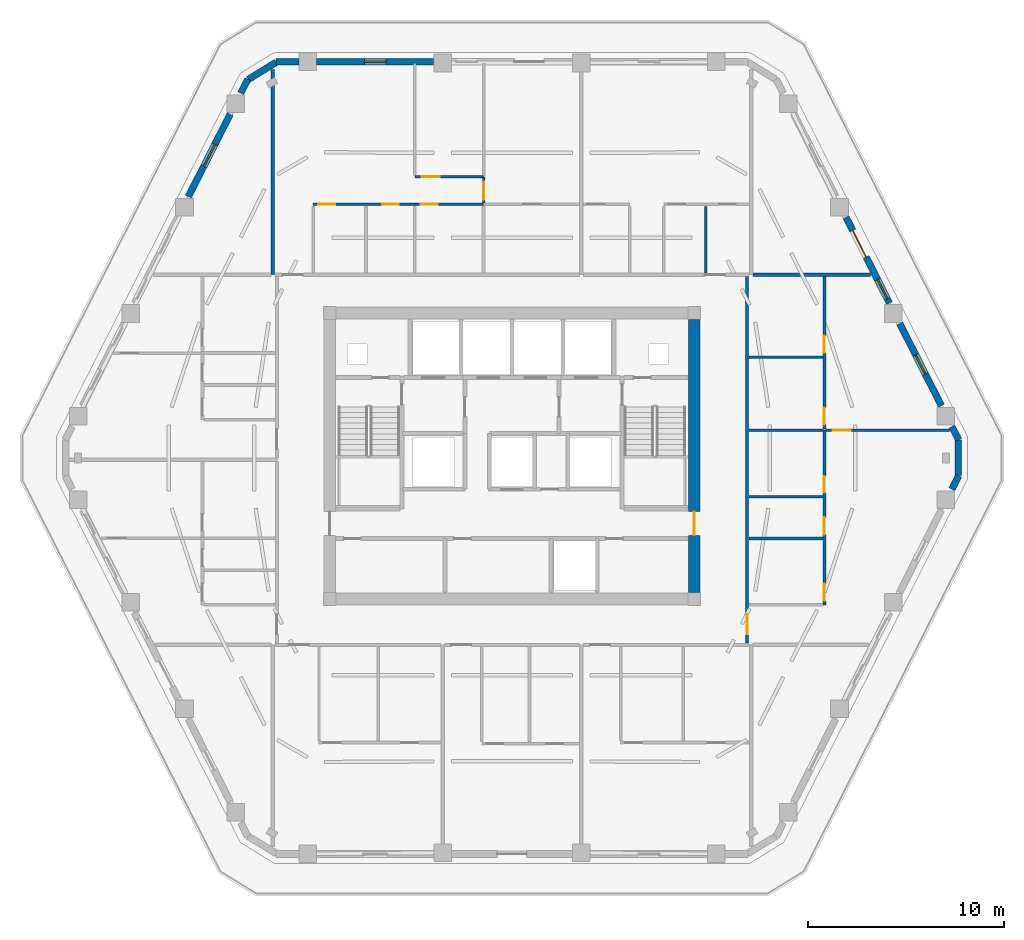
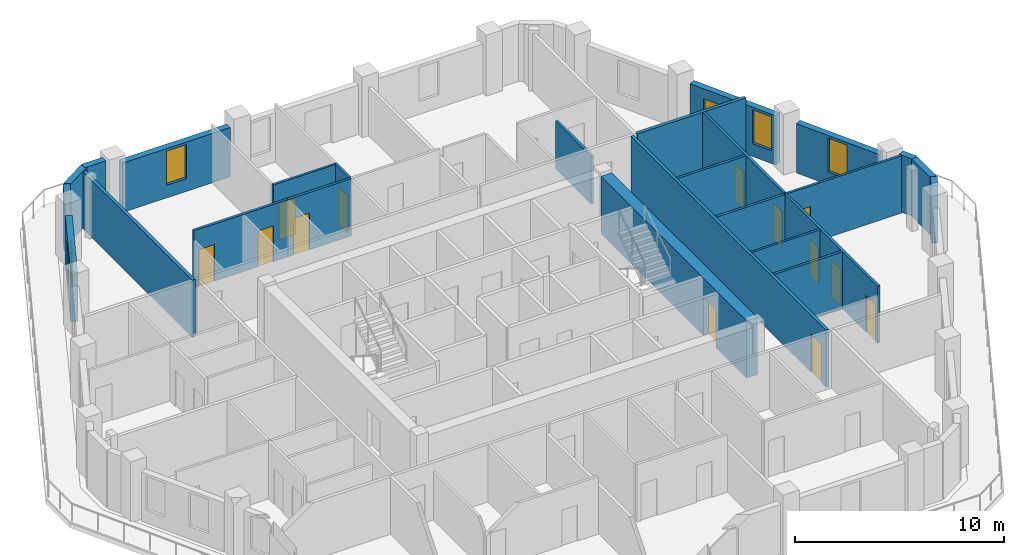
# One storey, part 6 of 10: 26 walls, 14 doors, 4 windows, 18 openings.
"""IFC4 building model written with IfcOpenShell, lengths in metres."""

from ifc_helpers import new_model, si_unit, direction, frame, frame_2d, origin, place, context, subcontext, project, spatial, rectangle, extrude, material, layer, layer_set, type_object, element, fill, save


model = new_model("IFC4")

# Units and contexts
model_context = context("Model", 3, precision=1e-05, world=origin(), true_north=direction((0.0, 1.0)))
body_context = subcontext(model_context, "Body", "Model", "MODEL_VIEW")
ifc_project = project(units=[si_unit("LENGTHUNIT", "METRE"), si_unit("AREAUNIT", "SQUARE_METRE"), si_unit("VOLUMEUNIT", "CUBIC_METRE"), si_unit("PLANEANGLEUNIT", "RADIAN"), si_unit("MASSUNIT", "GRAM", prefix="KILO")], contexts=[model_context])

# Site, building, storey
site_placement = place(None, origin())
site = spatial("IfcSite", under=ifc_project, at=site_placement, CompositionType="ELEMENT")
building_placement = place(site_placement, origin())
building = spatial("IfcBuilding", under=site, at=building_placement, Name="Cinnabar Lancet Tower", CompositionType="ELEMENT")
storey_placement = place(building_placement, frame((0.0, 0.0, 171.89990234375)))
storey = spatial("IfcBuildingStorey", under=building, at=storey_placement, Name="L45", CompositionType="ELEMENT", Elevation=171.89990234375)

# Wall, opening, door
ifc_material_1 = material(Name="Acoustic twin-stud gypsum partition", Category="gypsum")
ifc_layer_1 = layer(ifc_material_1, 0.159912109375)
ifc_layer_set_1 = layer_set([ifc_layer_1], Name="Acoustic twin-stud gypsum partition")
wall_type_1 = type_object("IfcWallType", Name="ARC-WL-CORR-160", PredefinedType="PARTITIONING", material=ifc_layer_set_1)
wall_1_placement = place(storey_placement, frame((44.39990234375, 16.344970703125, 0.0), z_axis=(0.0, 0.0, 1.0), x_axis=(0.0, 1.0, 0.0)))
wall_1 = element("IfcWall", 1, at=wall_1_placement, inside=storey, type_object=wall_type_1, Name="UW-L45-E01-COR", PredefinedType="PARTITIONING", context=body_context, shape_type="SweptSolid", body=[
    extrude(rectangle(XDim=18.7099609375, YDim=0.159912109375, at=frame_2d((9.35498046875, 0.0))), origin(), (0.0, 0.0, 1.0), 3.35009765625),
])
opening_1_placement = place(wall_1_placement, frame((0.449951171875, 0.0, 0.0)))
opening_1 = element("IfcOpeningElement", 2, at=opening_1_placement, cuts=wall_1, Name="Opening UD-01", PredefinedType="OPENING", context=body_context, shape_type="SweptSolid", body=[
    extrude(rectangle(XDim=1.02001953125, YDim=2.25, at=frame_2d((0.510009765625, 1.125))), frame((0.0, 0.08984375, 0.0), z_axis=(0.0, -1.0, 0.0), x_axis=(1.0, 0.0, 0.0)), (0.0, 0.0, 1.0), 0.179931640625),
])
ifc_material_2 = material(Name="Solid timber fire-rated apartment entrance door", Category="wood")
door_type_1 = type_object("IfcDoorType", Name="ARC-DR-UNIT", OperationType="NOTDEFINED", PredefinedType="DOOR", material=ifc_material_2)
door_1_placement = place(opening_1_placement, origin())
door_1 = element("IfcDoor", 3, at=door_1_placement, inside=storey, type_object=door_type_1, Name="DR-L45-E01-ENT", OperationType="SINGLE_SWING_RIGHT", OverallHeight=2.25, OverallWidth=1.02001953125, PredefinedType="DOOR", context=body_context, shape_type="SweptSolid", body=[
    extrude(rectangle(XDim=1.02001953125, YDim=2.25, at=frame_2d((0.510009765625, 1.125))), frame((0.0, 0.02490234375, 0.0), z_axis=(0.0, -1.0, 0.0), x_axis=(1.0, 0.0, 0.0)), (0.0, 0.0, 1.0), 0.050048828125),
])
fill(opening_1, door_1)

# Walls
ifc_material_3 = material(Name="Fire-rated twin-frame acoustic drywall", Category="gypsum")
ifc_layer_2 = layer(ifc_material_3, 0.179931640625)
ifc_layer_set_2 = layer_set([ifc_layer_2], Name="Fire-rated twin-frame acoustic drywall")
wall_type_2 = type_object("IfcWallType", Name="ARC-WL-PARTY-180", PredefinedType="PARTITIONING", material=ifc_layer_set_2)
wall_2_placement = place(storey_placement, frame((20.199951171875, 35.14990234375, 0.0), z_axis=(0.0, 0.0, 1.0), x_axis=(0.0, 1.0, 0.0)))
element("IfcWall", 4, at=wall_2_placement, inside=storey, type_object=wall_type_2, Name="PW-L45-NPTY-202", PredefinedType="PARTITIONING", context=body_context, shape_type="SweptSolid", body=[
    extrude(rectangle(XDim=10.482177734375, YDim=0.179931640625, at=frame_2d((5.2412109375, 0.0))), origin(), (0.0, 0.0, 1.0), 3.35009765625),
])
wall_3_placement = place(storey_placement, frame((44.695068359375, 35.14990234375, 0.0), z_axis=(0.0, 0.0, 1.0), x_axis=(1.0, 0.0, 0.0)))
element("IfcWall", 5, at=wall_3_placement, inside=storey, type_object=wall_type_2, Name="PW-L45-ENB", PredefinedType="PARTITIONING", context=body_context, shape_type="SweptSolid", body=[
    extrude(rectangle(XDim=5.994873046875, YDim=0.179931640625, at=frame_2d((2.99755859375, 0.0))), origin(), (0.0, 0.0, 1.0), 3.35009765625),
])

# Wall, opening, door
ifc_material_4 = material(Name="Gypsum plasterboard stud partition", Category="gypsum")
ifc_layer_3 = layer(ifc_material_4, 0.125)
ifc_layer_set_3 = layer_set([ifc_layer_3], Name="Gypsum plasterboard stud partition")
wall_type_3 = type_object("IfcWallType", Name="ARC-WL-UNIT-125", PredefinedType="PARTITIONING", material=ifc_layer_set_3)
wall_4_placement = place(storey_placement, frame((27.44189453125, 40.14501953125, 0.0), z_axis=(0.0, 0.0, 1.0), x_axis=(1.0, 0.0, 0.0)))
wall_4 = element("IfcWall", 6, at=wall_4_placement, inside=storey, type_object=wall_type_3, Name="UW-L45-N01-HLN", PredefinedType="PARTITIONING", context=body_context, shape_type="SweptSolid", body=[
    extrude(rectangle(XDim=3.508056640625, YDim=0.125, at=frame_2d((1.75390625, 0.0))), origin(), (0.0, 0.0, 1.0), 3.35009765625),
])
opening_2_placement = place(wall_4_placement, frame((0.35009765625, 0.0, 0.0)))
opening_2 = element("IfcOpeningElement", 7, at=opening_2_placement, cuts=wall_4, Name="Opening RD-01", PredefinedType="OPENING", context=body_context, shape_type="SweptSolid", body=[
    extrude(rectangle(XDim=0.919921875, YDim=2.14990234375, at=frame_2d((0.4599609375, 1.074951171875))), frame((0.0, 0.072509765625, 0.0), z_axis=(0.0, -1.0, 0.0), x_axis=(1.0, 0.0, 0.0)), (0.0, 0.0, 1.0), 0.14501953125),
])
ifc_material_5 = material(Name="Engineered timber bedroom door", Category="wood")
door_type_2 = type_object("IfcDoorType", Name="ARC-DR-ROOM", OperationType="NOTDEFINED", PredefinedType="DOOR", material=ifc_material_5)
door_2_placement = place(opening_2_placement, origin())
door_2 = element("IfcDoor", 8, at=door_2_placement, inside=storey, type_object=door_type_2, Name="DR-L45-N01-BD2", OperationType="SINGLE_SWING_LEFT", OverallHeight=2.14990234375, OverallWidth=0.919921875, PredefinedType="DOOR", context=body_context, shape_type="SweptSolid", body=[
    extrude(rectangle(XDim=0.919921875, YDim=2.14990234375, at=frame_2d((0.4599609375, 1.074951171875))), frame((0.0, 0.02490234375, 0.0), z_axis=(0.0, -1.0, 0.0), x_axis=(1.0, 0.0, 0.0)), (0.0, 0.0, 1.0), 0.050048828125),
])
fill(opening_2, door_2)

wall_5_placement = place(storey_placement, frame((30.949951171875, 38.81494140625, 0.0), z_axis=(0.0, 0.0, 1.0), x_axis=(0.0, 1.0, 0.0)))
wall_5 = element("IfcWall", 9, at=wall_5_placement, inside=storey, type_object=wall_type_3, Name="UW-L45-N01-MBE", PredefinedType="PARTITIONING", context=body_context, shape_type="SweptSolid", body=[
    extrude(rectangle(XDim=1.330078125, YDim=0.125, at=frame_2d((0.6650390625, 0.0))), origin(), (0.0, 0.0, 1.0), 3.35009765625),
])
opening_3_placement = place(wall_5_placement, frame((0.159912109375, 0.0, 0.0)))
opening_3 = element("IfcOpeningElement", 10, at=opening_3_placement, cuts=wall_5, Name="Opening RD-01", PredefinedType="OPENING", context=body_context, shape_type="SweptSolid", body=[
    extrude(rectangle(XDim=0.919921875, YDim=2.14990234375, at=frame_2d((0.4599609375, 1.074951171875))), frame((0.0, 0.072509765625, 0.0), z_axis=(0.0, -1.0, 0.0), x_axis=(1.0, 0.0, 0.0)), (0.0, 0.0, 1.0), 0.14501953125),
])
door_3_placement = place(opening_3_placement, origin())
door_3 = element("IfcDoor", 11, at=door_3_placement, inside=storey, type_object=door_type_2, Name="DR-L45-N01-MBD", OperationType="SINGLE_SWING_LEFT", OverallHeight=2.14990234375, OverallWidth=0.919921875, PredefinedType="DOOR", context=body_context, shape_type="SweptSolid", body=[
    extrude(rectangle(XDim=0.919921875, YDim=2.14990234375, at=frame_2d((0.4599609375, 1.074951171875))), frame((0.0, 0.02490234375, 0.0), z_axis=(0.0, -1.0, 0.0), x_axis=(1.0, 0.0, 0.0)), (0.0, 0.0, 1.0), 0.050048828125),
])
fill(opening_3, door_3)

wall_6_placement = place(storey_placement, frame((48.425048828125, 27.2119140625, 0.0), z_axis=(0.0, 0.0, 1.0), x_axis=(1.0, 0.0, 0.0)))
wall_6 = element("IfcWall", 12, at=wall_6_placement, inside=storey, type_object=wall_type_3, Name="UW-L45-E01-MBN", PredefinedType="PARTITIONING", context=body_context, shape_type="SweptSolid", body=[
    extrude(rectangle(XDim=6.2958984375, YDim=0.125, at=frame_2d((3.14794921875, 0.0))), origin(), (0.0, 0.0, 1.0), 3.35009765625),
])
opening_4_placement = place(wall_6_placement, frame((0.35009765625, 0.0, 0.0)))
opening_4 = element("IfcOpeningElement", 13, at=opening_4_placement, cuts=wall_6, Name="Opening RD-01", PredefinedType="OPENING", context=body_context, shape_type="SweptSolid", body=[
    extrude(rectangle(XDim=0.919921875, YDim=2.14990234375, at=frame_2d((0.4599609375, 1.074951171875))), frame((0.0, 0.072509765625, 0.0), z_axis=(0.0, -1.0, 0.0), x_axis=(1.0, 0.0, 0.0)), (0.0, 0.0, 1.0), 0.14501953125),
])
door_4_placement = place(opening_4_placement, origin())
door_4 = element("IfcDoor", 14, at=door_4_placement, inside=storey, type_object=door_type_2, Name="DR-L45-E01-MBD", OperationType="SINGLE_SWING_RIGHT", OverallHeight=2.14990234375, OverallWidth=0.919921875, PredefinedType="DOOR", context=body_context, shape_type="SweptSolid", body=[
    extrude(rectangle(XDim=0.919921875, YDim=2.14990234375, at=frame_2d((0.4599609375, 1.074951171875))), frame((0.0, 0.02490234375, 0.0), z_axis=(0.0, -1.0, 0.0), x_axis=(1.0, 0.0, 0.0)), (0.0, 0.0, 1.0), 0.050048828125),
])
fill(opening_4, door_4)

# Wall
wall_7_placement = place(storey_placement, frame((44.485107421875, 23.81201171875, 0.0), z_axis=(0.0, 0.0, 1.0), x_axis=(1.0, 0.0, 0.0)))
element("IfcWall", 15, at=wall_7_placement, inside=storey, type_object=wall_type_3, Name="UW-L45-E01-UDV", PredefinedType="PARTITIONING", context=body_context, shape_type="SweptSolid", body=[
    extrude(rectangle(XDim=3.77978515625, YDim=0.125, at=frame_2d((1.889892578125, 0.0))), origin(), (0.0, 0.0, 1.0), 3.35009765625),
])

# Wall, openings, doors
ifc_material_6 = material(Name="Moisture-resistant cement-board plumbing wall", Category="masonry")
ifc_layer_4 = layer(ifc_material_6, 0.139892578125)
ifc_layer_set_4 = layer_set([ifc_layer_4], Name="Moisture-resistant cement-board plumbing wall")
wall_type_4 = type_object("IfcWallType", Name="ARC-WL-WET-140", PredefinedType="PLUMBINGWALL", material=ifc_layer_set_4)
wall_8_placement = place(storey_placement, frame((22.25, 38.7451171875, 0.0), z_axis=(0.0, 0.0, 1.0), x_axis=(1.0, 0.0, 0.0)))
wall_8 = element("IfcWall", 16, at=wall_8_placement, inside=storey, type_object=wall_type_4, Name="UW-L45-N01-SPL", PredefinedType="PLUMBINGWALL", context=body_context, shape_type="SweptSolid", body=[
    extrude(rectangle(XDim=5.19189453125, YDim=0.139892578125, at=frame_2d((2.595947265625, 0.0))), origin(), (0.0, 0.0, 1.0), 3.35009765625),
])
opening_5_placement = place(wall_8_placement, frame((3.52099609375, 0.0, 0.0)))
opening_5 = element("IfcOpeningElement", 17, at=opening_5_placement, cuts=wall_8, Name="Opening BD-01", PredefinedType="OPENING", context=body_context, shape_type="SweptSolid", body=[
    extrude(rectangle(XDim=0.860107421875, YDim=2.10009765625, at=frame_2d((0.43017578125, 1.050048828125))), frame((0.0, 0.079833984375, 0.0), z_axis=(0.0, -1.0, 0.0), x_axis=(1.0, 0.0, 0.0)), (0.0, 0.0, 1.0), 0.159912109375),
])
opening_6_placement = place(wall_8_placement, frame((0.260009765625, 0.0, 0.0)))
opening_6 = element("IfcOpeningElement", 18, at=opening_6_placement, cuts=wall_8, Name="Opening RD-02", PredefinedType="OPENING", context=body_context, shape_type="SweptSolid", body=[
    extrude(rectangle(XDim=0.8798828125, YDim=2.14990234375, at=frame_2d((0.43994140625, 1.074951171875))), frame((0.0, 0.079833984375, 0.0), z_axis=(0.0, -1.0, 0.0), x_axis=(1.0, 0.0, 0.0)), (0.0, 0.0, 1.0), 0.159912109375),
])
ifc_material_7 = material(Name="Moisture-resistant timber bathroom door", Category="wood")
door_type_3 = type_object("IfcDoorType", Name="ARC-DR-BATH", OperationType="NOTDEFINED", PredefinedType="DOOR", material=ifc_material_7)
door_5_placement = place(opening_5_placement, origin())
door_5 = element("IfcDoor", 19, at=door_5_placement, inside=storey, type_object=door_type_3, Name="DR-L45-N01-BTH", OperationType="SINGLE_SWING_RIGHT", OverallHeight=2.10009765625, OverallWidth=0.860107421875, PredefinedType="DOOR", context=body_context, shape_type="SweptSolid", body=[
    extrude(rectangle(XDim=0.860107421875, YDim=2.10009765625, at=frame_2d((0.43017578125, 1.050048828125))), frame((0.0, 0.02490234375, 0.0), z_axis=(0.0, -1.0, 0.0), x_axis=(1.0, 0.0, 0.0)), (0.0, 0.0, 1.0), 0.050048828125),
])
fill(opening_5, door_5)
ifc_material_8 = material(Name="Engineered timber study door", Category="wood")
door_type_4 = type_object("IfcDoorType", Name="ARC-DR-STUDY", OperationType="NOTDEFINED", PredefinedType="DOOR", material=ifc_material_8)
door_6_placement = place(opening_6_placement, origin())
door_6 = element("IfcDoor", 20, at=door_6_placement, inside=storey, type_object=door_type_4, Name="DR-L45-N01-KIT", OperationType="SINGLE_SWING_LEFT", OverallHeight=2.14990234375, OverallWidth=0.8798828125, PredefinedType="DOOR", context=body_context, shape_type="SweptSolid", body=[
    extrude(rectangle(XDim=0.8798828125, YDim=2.14990234375, at=frame_2d((0.43994140625, 1.074951171875))), frame((0.0, 0.02490234375, 0.0), z_axis=(0.0, -1.0, 0.0), x_axis=(1.0, 0.0, 0.0)), (0.0, 0.0, 1.0), 0.050048828125),
])
fill(opening_6, door_6)

# Wall, opening, door
wall_9_placement = place(storey_placement, frame((27.44189453125, 38.7451171875, 0.0), z_axis=(0.0, 0.0, 1.0), x_axis=(1.0, 0.0, 0.0)))
wall_9 = element("IfcWall", 21, at=wall_9_placement, inside=storey, type_object=wall_type_4, Name="UW-L45-N01-SPM", PredefinedType="PLUMBINGWALL", context=body_context, shape_type="SweptSolid", body=[
    extrude(rectangle(XDim=3.508056640625, YDim=0.139892578125, at=frame_2d((1.75390625, 0.0))), origin(), (0.0, 0.0, 1.0), 3.35009765625),
])
opening_7_placement = place(wall_9_placement, frame((0.300048828125, 0.0, 0.0)))
opening_7 = element("IfcOpeningElement", 22, at=opening_7_placement, cuts=wall_9, Name="Opening RD-02", PredefinedType="OPENING", context=body_context, shape_type="SweptSolid", body=[
    extrude(rectangle(XDim=0.8798828125, YDim=2.14990234375, at=frame_2d((0.43994140625, 1.074951171875))), frame((0.0, 0.079833984375, 0.0), z_axis=(0.0, -1.0, 0.0), x_axis=(1.0, 0.0, 0.0)), (0.0, 0.0, 1.0), 0.159912109375),
])
door_7_placement = place(opening_7_placement, origin())
door_7 = element("IfcDoor", 23, at=door_7_placement, inside=storey, type_object=door_type_4, Name="DR-L45-N01-UTL", OperationType="SINGLE_SWING_RIGHT", OverallHeight=2.14990234375, OverallWidth=0.8798828125, PredefinedType="DOOR", context=body_context, shape_type="SweptSolid", body=[
    extrude(rectangle(XDim=0.8798828125, YDim=2.14990234375, at=frame_2d((0.43994140625, 1.074951171875))), frame((0.0, 0.02490234375, 0.0), z_axis=(0.0, -1.0, 0.0), x_axis=(1.0, 0.0, 0.0)), (0.0, 0.0, 1.0), 0.050048828125),
])
fill(opening_7, door_7)

# Wall
wall_10_placement = place(storey_placement, frame((42.285888671875, 35.235107421875, 0.0), z_axis=(0.0, 0.0, 1.0), x_axis=(0.0, 1.0, 0.0)))
element("IfcWall", 24, at=wall_10_placement, inside=storey, type_object=wall_type_4, Name="UW-L45-N02-KDV", PredefinedType="PLUMBINGWALL", context=body_context, shape_type="SweptSolid", body=[
    extrude(rectangle(XDim=3.40478515625, YDim=0.139892578125, at=frame_2d((1.702392578125, 0.0))), origin(), (0.0, 0.0, 1.0), 2.80712890625),
])

# Wall, openings, doors
wall_11_placement = place(storey_placement, frame((48.35009765625, 18.300048828125, 0.0), z_axis=(0.0, 0.0, 1.0), x_axis=(0.0, 1.0, 0.0)))
wall_11 = element("IfcWall", 25, at=wall_11_placement, inside=storey, type_object=wall_type_4, Name="UW-L45-E01-SPL", PredefinedType="PLUMBINGWALL", context=body_context, shape_type="SweptSolid", body=[
    extrude(rectangle(XDim=8.911865234375, YDim=0.139892578125, at=frame_2d((4.4560546875, 0.0))), origin(), (0.0, 0.0, 1.0), 3.35009765625),
])
opening_8_placement = place(wall_11_placement, frame((0.199951171875, 0.0, 0.0)))
opening_8 = element("IfcOpeningElement", 26, at=opening_8_placement, cuts=wall_11, Name="Opening RD-02", PredefinedType="OPENING", context=body_context, shape_type="SweptSolid", body=[
    extrude(rectangle(XDim=0.8798828125, YDim=2.14990234375, at=frame_2d((0.43994140625, 1.074951171875))), frame((0.0, 0.079833984375, 0.0), z_axis=(0.0, -1.0, 0.0), x_axis=(1.0, 0.0, 0.0)), (0.0, 0.0, 1.0), 0.159912109375),
])
opening_9_placement = place(wall_11_placement, frame((3.5869140625, 0.0, 0.0)))
opening_9 = element("IfcOpeningElement", 27, at=opening_9_placement, cuts=wall_11, Name="Opening RD-02", PredefinedType="OPENING", context=body_context, shape_type="SweptSolid", body=[
    extrude(rectangle(XDim=0.8798828125, YDim=2.14990234375, at=frame_2d((0.43994140625, 1.074951171875))), frame((0.0, 0.079833984375, 0.0), z_axis=(0.0, -1.0, 0.0), x_axis=(1.0, 0.0, 0.0)), (0.0, 0.0, 1.0), 0.159912109375),
])
opening_10_placement = place(wall_11_placement, frame((5.7119140625, 0.0, 0.0)))
opening_10 = element("IfcOpeningElement", 28, at=opening_10_placement, cuts=wall_11, Name="Opening BD-01", PredefinedType="OPENING", context=body_context, shape_type="SweptSolid", body=[
    extrude(rectangle(XDim=0.860107421875, YDim=2.10009765625, at=frame_2d((0.43017578125, 1.050048828125))), frame((0.0, 0.079833984375, 0.0), z_axis=(0.0, -1.0, 0.0), x_axis=(1.0, 0.0, 0.0)), (0.0, 0.0, 1.0), 0.159912109375),
])
door_8_placement = place(opening_10_placement, origin())
door_8 = element("IfcDoor", 29, at=door_8_placement, inside=storey, type_object=door_type_3, Name="DR-L45-E01-BTH", OperationType="SINGLE_SWING_LEFT", OverallHeight=2.10009765625, OverallWidth=0.860107421875, PredefinedType="DOOR", context=body_context, shape_type="SweptSolid", body=[
    extrude(rectangle(XDim=0.860107421875, YDim=2.10009765625, at=frame_2d((0.43017578125, 1.050048828125))), frame((0.0, 0.02490234375, 0.0), z_axis=(0.0, -1.0, 0.0), x_axis=(1.0, 0.0, 0.0)), (0.0, 0.0, 1.0), 0.050048828125),
])
fill(opening_10, door_8)
door_9_placement = place(opening_8_placement, origin())
door_9 = element("IfcDoor", 30, at=door_9_placement, inside=storey, type_object=door_type_4, Name="DR-L45-E01-KIT", OperationType="SINGLE_SWING_LEFT", OverallHeight=2.14990234375, OverallWidth=0.8798828125, PredefinedType="DOOR", context=body_context, shape_type="SweptSolid", body=[
    extrude(rectangle(XDim=0.8798828125, YDim=2.14990234375, at=frame_2d((0.43994140625, 1.074951171875))), frame((0.0, 0.02490234375, 0.0), z_axis=(0.0, -1.0, 0.0), x_axis=(1.0, 0.0, 0.0)), (0.0, 0.0, 1.0), 0.050048828125),
])
fill(opening_8, door_9)
door_10_placement = place(opening_9_placement, origin())
door_10 = element("IfcDoor", 31, at=door_10_placement, inside=storey, type_object=door_type_4, Name="DR-L45-E01-UTL", OperationType="SINGLE_SWING_RIGHT", OverallHeight=2.14990234375, OverallWidth=0.8798828125, PredefinedType="DOOR", context=body_context, shape_type="SweptSolid", body=[
    extrude(rectangle(XDim=0.8798828125, YDim=2.14990234375, at=frame_2d((0.43994140625, 1.074951171875))), frame((0.0, 0.02490234375, 0.0), z_axis=(0.0, -1.0, 0.0), x_axis=(1.0, 0.0, 0.0)), (0.0, 0.0, 1.0), 0.050048828125),
])
fill(opening_9, door_10)

wall_12_placement = place(storey_placement, frame((48.35009765625, 27.281982421875, 0.0), z_axis=(0.0, 0.0, 1.0), x_axis=(0.0, 1.0, 0.0)))
wall_12 = element("IfcWall", 32, at=wall_12_placement, inside=storey, type_object=wall_type_4, Name="UW-L45-E01-SPM", PredefinedType="PLUMBINGWALL", context=body_context, shape_type="SweptSolid", body=[
    extrude(rectangle(XDim=7.77294921875, YDim=0.139892578125, at=frame_2d((3.886474609375, 0.0))), origin(), (0.0, 0.0, 1.0), 3.35009765625),
])
opening_11_placement = place(wall_12_placement, frame((0.219970703125, 0.0, 0.0)))
opening_11 = element("IfcOpeningElement", 33, at=opening_11_placement, cuts=wall_12, Name="Opening BD-01", PredefinedType="OPENING", context=body_context, shape_type="SweptSolid", body=[
    extrude(rectangle(XDim=0.860107421875, YDim=2.10009765625, at=frame_2d((0.43017578125, 1.050048828125))), frame((0.0, 0.079833984375, 0.0), z_axis=(0.0, -1.0, 0.0), x_axis=(1.0, 0.0, 0.0)), (0.0, 0.0, 1.0), 0.159912109375),
])
opening_12_placement = place(wall_12_placement, frame((3.8798828125, 0.0, 0.0)))
opening_12 = element("IfcOpeningElement", 34, at=opening_12_placement, cuts=wall_12, Name="Opening RD-02", PredefinedType="OPENING", context=body_context, shape_type="SweptSolid", body=[
    extrude(rectangle(XDim=0.8798828125, YDim=2.14990234375, at=frame_2d((0.43994140625, 1.074951171875))), frame((0.0, 0.079833984375, 0.0), z_axis=(0.0, -1.0, 0.0), x_axis=(1.0, 0.0, 0.0)), (0.0, 0.0, 1.0), 0.159912109375),
])
door_11_placement = place(opening_11_placement, origin())
door_11 = element("IfcDoor", 35, at=door_11_placement, inside=storey, type_object=door_type_3, Name="DR-L45-E01-ENS", OperationType="SINGLE_SWING_RIGHT", OverallHeight=2.10009765625, OverallWidth=0.860107421875, PredefinedType="DOOR", context=body_context, shape_type="SweptSolid", body=[
    extrude(rectangle(XDim=0.860107421875, YDim=2.10009765625, at=frame_2d((0.43017578125, 1.050048828125))), frame((0.0, 0.02490234375, 0.0), z_axis=(0.0, -1.0, 0.0), x_axis=(1.0, 0.0, 0.0)), (0.0, 0.0, 1.0), 0.050048828125),
])
fill(opening_11, door_11)
door_12_placement = place(opening_12_placement, origin())
door_12 = element("IfcDoor", 36, at=door_12_placement, inside=storey, type_object=door_type_4, Name="DR-L45-E01-EWDR", OperationType="SINGLE_SWING_LEFT", OverallHeight=2.14990234375, OverallWidth=0.8798828125, PredefinedType="DOOR", context=body_context, shape_type="SweptSolid", body=[
    extrude(rectangle(XDim=0.8798828125, YDim=2.14990234375, at=frame_2d((0.43994140625, 1.074951171875))), frame((0.0, 0.02490234375, 0.0), z_axis=(0.0, -1.0, 0.0), x_axis=(1.0, 0.0, 0.0)), (0.0, 0.0, 1.0), 0.050048828125),
])
fill(opening_12, door_12)

# Walls
for number, where, z_axis, x_axis, name in (
    (37, (44.485107421875, 27.2119140625, 0.0), (0.0, 0.0, 1.0), (1.0, 0.0, 0.0), "UW-L45-E01-ENSN"),
    (38, (44.485107421875, 21.68701171875, 0.0), (0.0, 0.0, 1.0), (1.0, 0.0, 0.0), "UW-L45-E01-KDV"),
    (39, (44.485107421875, 30.94189453125, 0.0), (0.0, 0.0, 1.0), (1.0, 0.0, 0.0), "UW-L45-E01-EWDV"),
):
    element("IfcWall", number, at=place(storey_placement, frame(where, z_axis=z_axis, x_axis=x_axis)), inside=storey, type_object=wall_type_4, Name=name, PredefinedType="PLUMBINGWALL", context=body_context, shape_type="SweptSolid", body=[
        extrude(rectangle(XDim=3.77978515625, YDim=0.139892578125, at=frame_2d((1.889892578125, 0.0))), origin(), (0.0, 0.0, 1.0), 3.35009765625),
    ])
ifc_material_9 = material(Name="Cinnabar red clay brick", Category="masonry")
ifc_layer_5 = layer(ifc_material_9, 0.340087890625)
ifc_layer_set_5 = layer_set([ifc_layer_5], Name="Cinnabar red clay brick")
wall_type_5 = type_object("IfcWallType", Name="ENV-WL-BRK-RED-340", PredefinedType="STANDARD", material=ifc_layer_set_5)
wall_13_placement = place(storey_placement, frame((55.177978515625, 24.89208984375, 0.0), z_axis=(0.0, 0.0, 1.0), x_axis=(0.0, 1.0, 0.0)))
element("IfcWall", 40, at=wall_13_placement, inside=storey, type_object=wall_type_5, Name="L45 Chamfered Corner Brick Pier 3.1", PredefinedType="STANDARD", context=body_context, shape_type="SweptSolid", body=[
    extrude(rectangle(XDim=1.81591796875, YDim=0.340087890625, at=frame_2d((0.907958984375, 0.0))), origin(), (0.0, 0.0, 1.0), 3.35009765625),
])
wall_14_placement = place(storey_placement, frame((20.366943359375, 45.9951171875, 0.0), z_axis=(0.0, 0.0, 1.0), x_axis=(-0.851713271379, -0.524008113828, 0.0)))
element("IfcWall", 41, at=wall_14_placement, inside=storey, type_object=wall_type_5, Name="L45 Chamfered Corner Brick Pier 5.1", PredefinedType="STANDARD", context=body_context, shape_type="SweptSolid", body=[
    extrude(rectangle(XDim=1.677734375, YDim=0.340087890625, at=frame_2d((0.8388671875, 0.0))), origin(), (0.0, 0.0, 1.0), 3.35009765625),
])
for number, where, z_axis, x_axis, name in (
    (42, (54.85107421875, 24.197021484375, 0.0), (0.0, 0.0, 1.0), (0.451262448184, 0.892391283496, 0.0), "L45 Face 2 Masonry Bay Wall 5"),
    (43, (55.198974609375, 26.715087890625, 0.0), (0.0, 0.0, 1.0), (-0.451262448184, 0.892391283496, 0.0), "L45 Face 3 Masonry Bay Wall 1"),
):
    element("IfcWall", number, at=place(storey_placement, frame(where, z_axis=z_axis, x_axis=x_axis)), inside=storey, type_object=wall_type_5, Name=name, PredefinedType="STANDARD", context=body_context, shape_type="SweptSolid", body=[
        extrude(rectangle(XDim=0.77099609375, YDim=0.340087890625, at=frame_2d((0.385498046875, 0.0))), origin(), (0.0, 0.0, 1.0), 3.35009765625),
    ])

# Wall, opening, window
wall_15_placement = place(storey_placement, frame((54.31494140625, 28.462890625, 0.0), z_axis=(0.0, 0.0, 1.0), x_axis=(-0.451426298588, 0.892308409096, 0.0)))
wall_15 = element("IfcWall", 44, at=wall_15_placement, inside=storey, type_object=wall_type_5, Name="L45 Face 3 Masonry Bay Wall 2", PredefinedType="STANDARD", context=body_context, shape_type="SweptSolid", body=[
    extrude(rectangle(XDim=4.7001953125, YDim=0.340087890625, at=frame_2d((2.35009765625, 0.0))), origin(), (0.0, 0.0, 1.0), 2.883056640625),
])
opening_13_placement = place(wall_15_placement, frame((1.800048828125, 0.0, 0.75)))
opening_13 = element("IfcOpeningElement", 45, at=opening_13_placement, cuts=wall_15, Name="Opening WN-04", PredefinedType="OPENING", context=body_context, shape_type="SweptSolid", body=[
    extrude(rectangle(XDim=1.10009765625, YDim=1.98291015625, at=frame_2d((0.550048828125, 0.991455078125))), frame((0.0, 0.179931640625, 0.0), z_axis=(0.0, -1.0, 0.0), x_axis=(1.0, 0.0, 0.0)), (0.0, 0.0, 1.0), 0.360107421875),
])
ifc_material_10 = material(Name="Thermally broken bronze-anodized aluminium tall lancet window", Category="aluminium")
window_type_1 = type_object("IfcWindowType", Name="ENV-WN-LANCET-1100", PartitioningType="SINGLE_PANEL", PredefinedType="WINDOW", material=ifc_material_10)
window_1_placement = place(opening_13_placement, origin())
window_1 = element("IfcWindow", 46, at=window_1_placement, inside=storey, type_object=window_type_1, Name="L45 Face 3 Gothic Lancet Window 2", OverallHeight=1.98291015625, OverallWidth=1.10009765625, PartitioningType="SINGLE_PANEL", PredefinedType="WINDOW", context=body_context, shape_type="SweptSolid", body=[
    extrude(rectangle(XDim=1.10009765625, YDim=1.98291015625, at=frame_2d((0.550048828125, 0.991455078125))), frame((0.0, 0.030029296875, 0.0), z_axis=(0.0, -1.0, 0.0), x_axis=(1.0, 0.0, 0.0)), (0.0, 0.0, 1.0), 0.06005859375),
])
fill(opening_13, window_1)

# Wall, openings, door, window
wall_16_placement = place(storey_placement, frame((51.6650390625, 33.701904296875, 0.0), z_axis=(0.0, 0.0, 1.0), x_axis=(-0.451524246964, 0.89225884944, 0.0)))
wall_16 = element("IfcWall", 47, at=wall_16_placement, inside=storey, type_object=wall_type_5, Name="L45 Face 3 Masonry Bay Wall 3", PredefinedType="STANDARD", context=body_context, shape_type="SweptSolid", body=[
    extrude(rectangle(XDim=4.91015625, YDim=0.340087890625, at=frame_2d((2.455078125, 0.0))), origin(), (0.0, 0.0, 1.0), 2.883056640625),
])
opening_14_placement = place(wall_16_placement, frame((2.64208984375, 0.0, 0.0)))
opening_14 = element("IfcOpeningElement", 48, at=opening_14_placement, cuts=wall_16, Name="Opening TD-02", PredefinedType="OPENING", context=body_context, shape_type="SweptSolid", body=[
    extrude(rectangle(XDim=1.5, YDim=2.300048828125, at=frame_2d((0.75, 1.14990234375))), frame((0.0, 0.179931640625, 0.0), z_axis=(0.0, -1.0, 0.0), x_axis=(1.0, 0.0, 0.0)), (0.0, 0.0, 1.0), 0.360107421875),
])
opening_15_placement = place(wall_16_placement, frame((0.240966796875, 0.0, 0.75)))
opening_15 = element("IfcOpeningElement", 49, at=opening_15_placement, cuts=wall_16, Name="Opening WN-04", PredefinedType="OPENING", context=body_context, shape_type="SweptSolid", body=[
    extrude(rectangle(XDim=1.10009765625, YDim=1.98291015625, at=frame_2d((0.550048828125, 0.991455078125))), frame((0.0, 0.179931640625, 0.0), z_axis=(0.0, -1.0, 0.0), x_axis=(1.0, 0.0, 0.0)), (0.0, 0.0, 1.0), 0.360107421875),
])
ifc_material_11 = material(Name="Thermally broken low-E glazed sky-terrace double door", Category="wood")
door_type_5 = type_object("IfcDoorType", Name="ARC-DR-STER", OperationType="NOTDEFINED", PredefinedType="DOOR", material=ifc_material_11)
door_13_placement = place(opening_14_placement, origin())
door_13 = element("IfcDoor", 50, at=door_13_placement, inside=storey, type_object=door_type_5, Name="L45 Face 3 Glazed Terrace Door", OperationType="SINGLE_SWING_RIGHT", OverallHeight=2.300048828125, OverallWidth=1.5, PredefinedType="DOOR", context=body_context, shape_type="SweptSolid", body=[
    extrude(rectangle(XDim=1.5, YDim=2.300048828125, at=frame_2d((0.75, 1.14990234375))), frame((0.0, 0.02490234375, 0.0), z_axis=(0.0, -1.0, 0.0), x_axis=(1.0, 0.0, 0.0)), (0.0, 0.0, 1.0), 0.050048828125),
])
fill(opening_14, door_13)
window_2_placement = place(opening_15_placement, origin())
window_2 = element("IfcWindow", 51, at=window_2_placement, inside=storey, type_object=window_type_1, Name="L45 Split-Bay Gothic Lancet Window 129", OverallHeight=1.98291015625, OverallWidth=1.10009765625, PartitioningType="SINGLE_PANEL", PredefinedType="WINDOW", context=body_context, shape_type="SweptSolid", body=[
    extrude(rectangle(XDim=1.10009765625, YDim=1.98291015625, at=frame_2d((0.550048828125, 0.991455078125))), frame((0.0, 0.030029296875, 0.0), z_axis=(0.0, -1.0, 0.0), x_axis=(1.0, 0.0, 0.0)), (0.0, 0.0, 1.0), 0.06005859375),
])
fill(opening_15, window_2)

# Wall, opening, window
wall_17_placement = place(storey_placement, frame((28.403076171875, 46.02001953125, 0.0), z_axis=(0.0, 0.0, 1.0), x_axis=(-1.0, 0.0, 0.0)))
wall_17 = element("IfcWall", 52, at=wall_17_placement, inside=storey, type_object=wall_type_5, Name="L45 Face 4 Masonry Bay Wall 4", PredefinedType="STANDARD", context=body_context, shape_type="SweptSolid", body=[
    extrude(rectangle(XDim=5.969970703125, YDim=0.340087890625, at=frame_2d((2.98486328125, 0.0))), origin(), (0.0, 0.0, 1.0), 2.883056640625),
])
opening_16_placement = place(wall_17_placement, frame((2.43505859375, 0.0, 0.75)))
opening_16 = element("IfcOpeningElement", 53, at=opening_16_placement, cuts=wall_17, Name="Opening WN-04", PredefinedType="OPENING", context=body_context, shape_type="SweptSolid", body=[
    extrude(rectangle(XDim=1.10009765625, YDim=1.98291015625, at=frame_2d((0.550048828125, 0.991455078125))), frame((0.0, 0.179931640625, 0.0), z_axis=(0.0, -1.0, 0.0), x_axis=(1.0, 0.0, 0.0)), (0.0, 0.0, 1.0), 0.360107421875),
])
window_3_placement = place(opening_16_placement, origin())
window_3 = element("IfcWindow", 54, at=window_3_placement, inside=storey, type_object=window_type_1, Name="L45 Face 4 Gothic Lancet Window 4", OverallHeight=1.98291015625, OverallWidth=1.10009765625, PartitioningType="SINGLE_PANEL", PredefinedType="WINDOW", context=body_context, shape_type="SweptSolid", body=[
    extrude(rectangle(XDim=1.10009765625, YDim=1.98291015625, at=frame_2d((0.550048828125, 0.991455078125))), frame((0.0, 0.030029296875, 0.0), z_axis=(0.0, -1.0, 0.0), x_axis=(1.0, 0.0, 0.0)), (0.0, 0.0, 1.0), 0.06005859375),
])
fill(opening_16, window_3)

# Walls
wall_18_placement = place(storey_placement, frame((21.52490234375, 46.02001953125, 0.0), z_axis=(0.0, 0.0, 1.0), x_axis=(-1.0, 0.0, 0.0)))
element("IfcWall", 55, at=wall_18_placement, inside=storey, type_object=wall_type_5, Name="L45 Face 4 Masonry Bay Wall 5", PredefinedType="STANDARD", context=body_context, shape_type="SweptSolid", body=[
    extrude(rectangle(XDim=1.162841796875, YDim=0.340087890625, at=frame_2d((0.58154296875, 0.0))), origin(), (0.0, 0.0, 1.0), 3.35009765625),
])
wall_19_placement = place(storey_placement, frame((18.91796875, 45.132080078125, 0.0), z_axis=(0.0, 0.0, 1.0), x_axis=(-0.451691568309, -0.892174157392, 0.0)))
element("IfcWall", 56, at=wall_19_placement, inside=storey, type_object=wall_type_5, Name="L45 Face 5 Masonry Bay Wall 1", PredefinedType="STANDARD", context=body_context, shape_type="SweptSolid", body=[
    extrude(rectangle(XDim=0.805908203125, YDim=0.340087890625, at=frame_2d((0.40283203125, 0.0))), origin(), (0.0, 0.0, 1.0), 3.35009765625),
])

# Wall, opening, window
wall_20_placement = place(storey_placement, frame((18.01708984375, 43.35107421875, 0.0), z_axis=(0.0, 0.0, 1.0), x_axis=(-0.45150207307, -0.892270070109, 0.0)))
wall_20 = element("IfcWall", 57, at=wall_20_placement, inside=storey, type_object=wall_type_5, Name="L45 Face 5 Masonry Bay Wall 2", PredefinedType="STANDARD", context=body_context, shape_type="SweptSolid", body=[
    extrude(rectangle(XDim=4.73095703125, YDim=0.340087890625, at=frame_2d((2.365478515625, 0.0))), origin(), (0.0, 0.0, 1.0), 2.883056640625),
])
opening_17_placement = place(wall_20_placement, frame((1.739990234375, 0.0, 0.75)))
opening_17 = element("IfcOpeningElement", 58, at=opening_17_placement, cuts=wall_20, Name="Opening WN-03", PredefinedType="OPENING", context=body_context, shape_type="SweptSolid", body=[
    extrude(rectangle(XDim=1.25, YDim=1.949951171875, at=frame_2d((0.625, 0.97509765625))), frame((0.0, 0.179931640625, 0.0), z_axis=(0.0, -1.0, 0.0), x_axis=(1.0, 0.0, 0.0)), (0.0, 0.0, 1.0), 0.360107421875),
])
ifc_material_12 = material(Name="Thermally broken bronze-anodized aluminium low-E double glazing", Category="aluminium")
window_type_2 = type_object("IfcWindowType", Name="ENV-WN-LANCET-1250", PartitioningType="SINGLE_PANEL", PredefinedType="WINDOW", material=ifc_material_12)
window_4_placement = place(opening_17_placement, origin())
window_4 = element("IfcWindow", 59, at=window_4_placement, inside=storey, type_object=window_type_2, Name="L45 Face 5 Gothic Lancet Window 2", OverallHeight=1.949951171875, OverallWidth=1.25, PartitioningType="SINGLE_PANEL", PredefinedType="WINDOW", context=body_context, shape_type="SweptSolid", body=[
    extrude(rectangle(XDim=1.25, YDim=1.949951171875, at=frame_2d((0.625, 0.97509765625))), frame((0.0, 0.030029296875, 0.0), z_axis=(0.0, -1.0, 0.0), x_axis=(1.0, 0.0, 0.0)), (0.0, 0.0, 1.0), 0.06005859375),
])
fill(opening_17, window_4)

# Wall, opening, door
ifc_material_13 = material(Name="Concrete C60/75", Category="concrete")
ifc_layer_6 = layer(ifc_material_13, 0.60009765625)
ifc_layer_set_6 = layer_set([ifc_layer_6], Name="Concrete C60/75")
wall_type_6 = type_object("IfcWallType", Name="STR-WL-CORE-600", PredefinedType="SHEAR", material=ifc_layer_set_6)
wall_21_placement = place(storey_placement, frame((41.699951171875, 18.925048828125, 0.0), z_axis=(0.0, 0.0, 1.0), x_axis=(0.0, 1.0, 0.0)))
wall_21 = element("IfcWall", 60, at=wall_21_placement, inside=storey, type_object=wall_type_6, Name="L45 Core Shear Wall E", PredefinedType="SHEAR", context=body_context, shape_type="SweptSolid", body=[
    extrude(rectangle(XDim=13.949951171875, YDim=0.60009765625, at=frame_2d((6.97509765625, 0.0))), origin(), (0.0, 0.0, 1.0), 3.35009765625),
])
opening_18_placement = place(wall_21_placement, frame((2.9150390625, 0.0, 0.0)))
opening_18 = element("IfcOpeningElement", 61, at=opening_18_placement, cuts=wall_21, Name="Opening FD-02", PredefinedType="OPENING", context=body_context, shape_type="SweptSolid", body=[
    extrude(rectangle(XDim=1.219970703125, YDim=2.25, at=frame_2d((0.60986328125, 1.125))), frame((0.0, 0.31005859375, 0.0), z_axis=(0.0, -1.0, 0.0), x_axis=(1.0, 0.0, 0.0)), (0.0, 0.0, 1.0), 0.6201171875),
])
ifc_material_14 = material(Name="Fire-rated double-vision core portal door", Category="wood")
door_type_6 = type_object("IfcDoorType", Name="ARC-DR-CPORT", OperationType="NOTDEFINED", PredefinedType="DOOR", material=ifc_material_14)
door_14_placement = place(opening_18_placement, origin())
door_14 = element("IfcDoor", 62, at=door_14_placement, inside=storey, type_object=door_type_6, Name="L45 East Core Lobby Fire Door", OperationType="SINGLE_SWING_LEFT", OverallHeight=2.25, OverallWidth=1.219970703125, PredefinedType="DOOR", context=body_context, shape_type="SweptSolid", body=[
    extrude(rectangle(XDim=1.219970703125, YDim=2.25, at=frame_2d((0.60986328125, 1.125))), frame((0.0, 0.02490234375, 0.0), z_axis=(0.0, -1.0, 0.0), x_axis=(1.0, 0.0, 0.0)), (0.0, 0.0, 1.0), 0.050048828125),
])
fill(opening_18, door_14)

save(model, "model.ifc")
